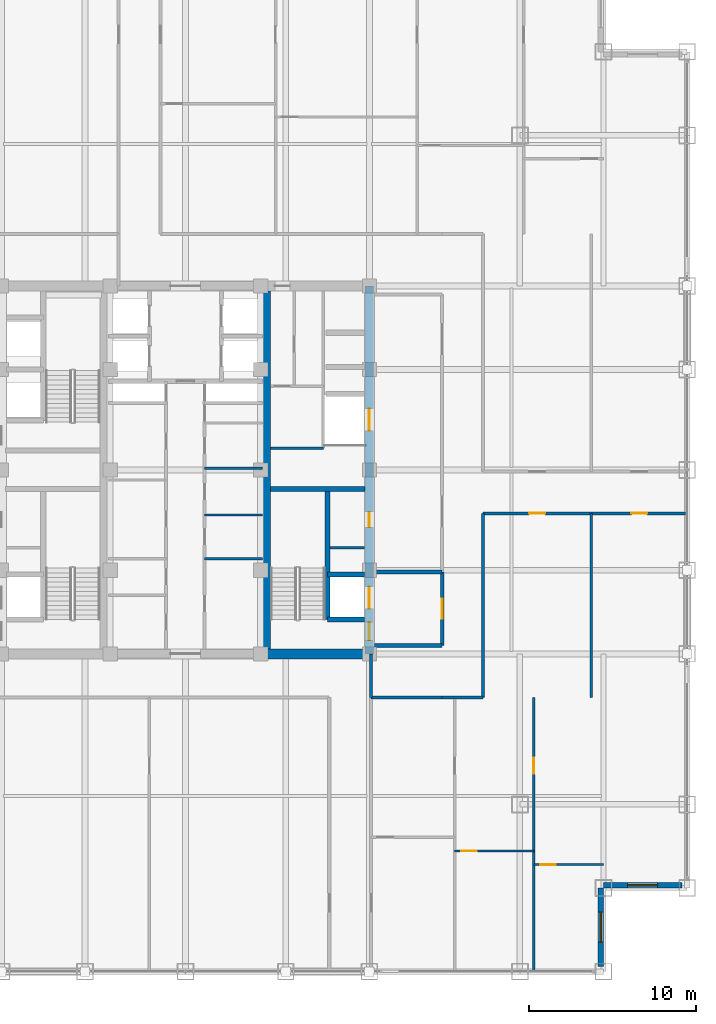
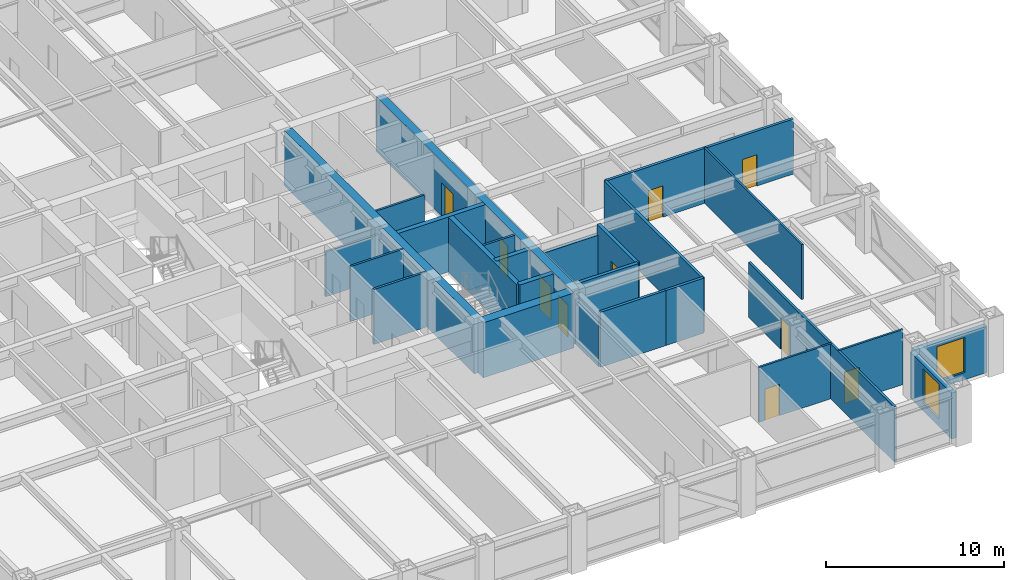
# One storey, part 21 of 25: 26 walls, 10 doors, 2 windows, 12 openings.
"""IFC4 building model written with IfcOpenShell, lengths in metres."""

from ifc_helpers import new_model, si_unit, direction, frame, frame_2d, origin, place, context, subcontext, project, spatial, rectangle, extrude, source, transform, mapped, material, layer, layer_set, type_object, element, fill, save


model = new_model("IFC4")

# Units and contexts
model_context = context("Model", 3, precision=1e-05, world=origin(), true_north=direction((0.0, 1.0)))
body_context = subcontext(model_context, "Body", "Model", "MODEL_VIEW")
ifc_project = project(units=[si_unit("LENGTHUNIT", "METRE"), si_unit("AREAUNIT", "SQUARE_METRE"), si_unit("VOLUMEUNIT", "CUBIC_METRE"), si_unit("PLANEANGLEUNIT", "RADIAN"), si_unit("MASSUNIT", "GRAM", prefix="KILO")], contexts=[model_context])

# Site, building, storey
site_placement = place(None, origin())
site = spatial("IfcSite", under=ifc_project, at=site_placement, CompositionType="ELEMENT")
building_placement = place(site_placement, origin())
building = spatial("IfcBuilding", under=site, at=building_placement, Name="Khorayat Bourse Tower", CompositionType="ELEMENT")
storey_placement = place(building_placement, frame((0.0, 0.0, 255.10009765625)))
storey = spatial("IfcBuildingStorey", under=building, at=storey_placement, Name="L60", CompositionType="ELEMENT", Elevation=255.10009765625)

# Wall
ifc_material_1 = material(Name="Concrete C52/65", Category="concrete")
ifc_layer_1 = layer(ifc_material_1, 0.5)
ifc_layer_set_1 = layer_set([ifc_layer_1], Name="Concrete C52/65")
wall_type_1 = type_object("IfcWallType", Name="WAL-CORE-500", PredefinedType="SHEAR", material=ifc_layer_set_1)
shared_shape_1 = source(origin(), body_context, "Body", "SweptSolid", [
    extrude(rectangle(XDim=21.39990234375, YDim=0.5, at=frame_2d((10.699951171875, 0.0))), origin(), (0.0, 0.0, 1.0), 3.77978515625),
])
wall_1_placement = place(storey_placement, frame((4.85009765625, -10.699951171875, 0.0), z_axis=(0.0, 0.0, 1.0), x_axis=(0.0, 1.0, 0.0)))
element("IfcWall", 1, at=wall_1_placement, inside=storey, type_object=wall_type_1, Name="L60 Core Shear Wall PIER-E", PredefinedType="SHEAR", context=body_context, shape_type="MappedRepresentation", body=[
    mapped(shared_shape_1, transform((0.0, 0.0, 0.0), scale=1.0)),
])

# Wall, openings, doors
shared_shape_2 = source(origin(), body_context, "Body", "SweptSolid", [
    extrude(rectangle(XDim=22.0, YDim=0.5, at=frame_2d((11.0, 0.0))), origin(), (0.0, 0.0, 1.0), 3.77978515625),
])
wall_2_placement = place(storey_placement, frame((11.0, -11.0, 0.0), z_axis=(0.0, 0.0, 1.0), x_axis=(0.0, 1.0, 0.0)))
wall_2 = element("IfcWall", 2, at=wall_2_placement, inside=storey, type_object=wall_type_1, Name="L60 Core Shear Wall CORE-E", PredefinedType="SHEAR", context=body_context, shape_type="MappedRepresentation", body=[
    mapped(shared_shape_2, transform((0.0, 0.0, 0.0), scale=1.0)),
])
shared_shape_3 = source(origin(), body_context, "Body", "SweptSolid", [
    extrude(rectangle(XDim=1.10009765625, YDim=2.199951171875, at=frame_2d((0.550048828125, 1.10009765625))), frame((0.0, 0.260009765625, 0.0), z_axis=(0.0, -1.0, 0.0), x_axis=(1.0, 0.0, 0.0)), (0.0, 0.0, 1.0), 0.52001953125),
])
opening_1_placement = place(wall_2_placement, frame((0.800048828125, 0.0, 0.0)))
opening_1 = element("IfcOpeningElement", 3, at=opening_1_placement, cuts=wall_2, Name="Opening DI-01", PredefinedType="OPENING", context=body_context, shape_type="MappedRepresentation", body=[
    mapped(shared_shape_3, transform((0.0, 0.0, 0.0), scale=1.0)),
])
shared_shape_4 = source(origin(), body_context, "Body", "SweptSolid", [
    extrude(rectangle(XDim=0.89990234375, YDim=2.14990234375, at=frame_2d((0.449951171875, 1.074951171875))), frame((0.0, 0.260009765625, 0.0), z_axis=(0.0, -1.0, 0.0), x_axis=(1.0, 0.0, 0.0)), (0.0, 0.0, 1.0), 0.52001953125),
])
opening_2_placement = place(wall_2_placement, frame((7.574951171875, 0.0, 0.0)))
opening_2 = element("IfcOpeningElement", 4, at=opening_2_placement, cuts=wall_2, Name="Opening DI-06", PredefinedType="OPENING", context=body_context, shape_type="MappedRepresentation", body=[
    mapped(shared_shape_4, transform((0.0, 0.0, 0.0), scale=1.0)),
])
shared_shape_5 = source(origin(), body_context, "Body", "SweptSolid", [
    extrude(rectangle(XDim=1.300048828125, YDim=2.300048828125, at=frame_2d((0.64990234375, 1.14990234375))), frame((0.0, 0.260009765625, 0.0), z_axis=(0.0, -1.0, 0.0), x_axis=(1.0, 0.0, 0.0)), (0.0, 0.0, 1.0), 0.52001953125),
])
opening_3_placement = place(wall_2_placement, frame((2.699951171875, 0.0, 0.0)))
opening_3 = element("IfcOpeningElement", 5, at=opening_3_placement, cuts=wall_2, Name="Opening LD-02", PredefinedType="OPENING", context=body_context, shape_type="MappedRepresentation", body=[
    mapped(shared_shape_5, transform((0.0, 0.0, 0.0), scale=1.0)),
])
opening_4_placement = place(wall_2_placement, frame((13.35009765625, 0.0, 0.0)))
opening_4 = element("IfcOpeningElement", 6, at=opening_4_placement, cuts=wall_2, Name="Opening LD-02", PredefinedType="OPENING", context=body_context, shape_type="MappedRepresentation", body=[
    mapped(shared_shape_5, transform((0.0, 0.0, 0.0), scale=1.0)),
])
ifc_material_2 = material(Name="Fire-rated steel acoustic leaf", Category="steel")
door_type_1 = type_object("IfcDoorType", Name="DR-INT-STAIR-1100", OperationType="NOTDEFINED", PredefinedType="DOOR", material=ifc_material_2)
shared_shape_6 = source(origin(), body_context, "Body", "SweptSolid", [
    extrude(rectangle(XDim=1.10009765625, YDim=2.199951171875, at=frame_2d((0.550048828125, 1.10009765625))), frame((0.0, 0.02490234375, 0.0), z_axis=(0.0, -1.0, 0.0), x_axis=(1.0, 0.0, 0.0)), (0.0, 0.0, 1.0), 0.050048828125),
])
door_1_placement = place(opening_1_placement, origin())
door_1 = element("IfcDoor", 7, at=door_1_placement, inside=storey, type_object=door_type_1, Name="L60 Exit Stair 3 Door", OperationType="SINGLE_SWING_LEFT", OverallHeight=2.199951171875, OverallWidth=1.10009765625, PredefinedType="DOOR", context=body_context, shape_type="MappedRepresentation", body=[
    mapped(shared_shape_6, transform((0.0, 0.0, 0.0), scale=1.0)),
])
fill(opening_1, door_1)
ifc_material_3 = material(Name="Moisture-resistant laminate washroom door")
door_type_2 = type_object("IfcDoorType", Name="DR-INT-WC-900", OperationType="NOTDEFINED", PredefinedType="DOOR", material=ifc_material_3)
shared_shape_7 = source(origin(), body_context, "Body", "SweptSolid", [
    extrude(rectangle(XDim=0.89990234375, YDim=2.14990234375, at=frame_2d((0.449951171875, 1.074951171875))), frame((0.0, 0.02490234375, 0.0), z_axis=(0.0, -1.0, 0.0), x_axis=(1.0, 0.0, 0.0)), (0.0, 0.0, 1.0), 0.050048828125),
])
door_2_placement = place(opening_2_placement, origin())
door_2 = element("IfcDoor", 8, at=door_2_placement, inside=storey, type_object=door_type_2, Name="L60 Fiber Server Plant Room Door", OperationType="SINGLE_SWING_LEFT", OverallHeight=2.14990234375, OverallWidth=0.89990234375, PredefinedType="DOOR", context=body_context, shape_type="MappedRepresentation", body=[
    mapped(shared_shape_7, transform((0.0, 0.0, 0.0), scale=1.0)),
])
fill(opening_2, door_2)
ifc_material_4 = material(Name="Fire-rated stainless-steel sliding landing door", Category="steel")
door_type_3 = type_object("IfcDoorType", Name="DR-LIFT-FF-1300", OperationType="NOTDEFINED", PredefinedType="DOOR", material=ifc_material_4)
shared_shape_8 = source(origin(), body_context, "Body", "SweptSolid", [
    extrude(rectangle(XDim=1.300048828125, YDim=2.300048828125, at=frame_2d((0.64990234375, 1.14990234375))), frame((0.0, 0.02490234375, 0.0), z_axis=(0.0, -1.0, 0.0), x_axis=(1.0, 0.0, 0.0)), (0.0, 0.0, 1.0), 0.050048828125),
])
door_3_placement = place(opening_3_placement, origin())
door_3 = element("IfcDoor", 9, at=door_3_placement, inside=storey, type_object=door_type_3, Name="L60 Lift FFL-02 Sliding Landing Door", OperationType="SLIDING_TO_LEFT", OverallHeight=2.300048828125, OverallWidth=1.300048828125, PredefinedType="DOOR", context=body_context, shape_type="MappedRepresentation", body=[
    mapped(shared_shape_8, transform((0.0, 0.0, 0.0), scale=1.0)),
])
fill(opening_3, door_3)
door_4_placement = place(opening_4_placement, origin())
door_4 = element("IfcDoor", 10, at=door_4_placement, inside=storey, type_object=door_type_3, Name="L60 Lift SVL-01 Sliding Landing Door", OperationType="SLIDING_TO_LEFT", OverallHeight=2.300048828125, OverallWidth=1.300048828125, PredefinedType="DOOR", context=body_context, shape_type="MappedRepresentation", body=[
    mapped(shared_shape_8, transform((0.0, 0.0, 0.0), scale=1.0)),
])
fill(opening_4, door_4)

# Walls
ifc_material_5 = material(Name="Concrete C60/75", Category="concrete")
ifc_layer_2 = layer(ifc_material_5, 0.60009765625)
ifc_layer_set_2 = layer_set([ifc_layer_2], Name="Concrete C60/75")
wall_type_2 = type_object("IfcWallType", Name="WAL-CORE-600", PredefinedType="SHEAR", material=ifc_layer_set_2)
shared_shape_9 = source(origin(), body_context, "Body", "SweptSolid", [
    extrude(rectangle(XDim=5.89990234375, YDim=0.60009765625, at=frame_2d((2.949951171875, 0.0))), origin(), (0.0, 0.0, 1.0), 3.77978515625),
])
wall_3_placement = place(storey_placement, frame((4.85009765625, -11.0, 0.0), z_axis=(0.0, 0.0, 1.0), x_axis=(1.0, 0.0, 0.0)))
element("IfcWall", 11, at=wall_3_placement, inside=storey, type_object=wall_type_2, Name="L60 Core Shear Wall PIER-ES", PredefinedType="SHEAR", context=body_context, shape_type="MappedRepresentation", body=[
    mapped(shared_shape_9, transform((0.0, 0.0, 0.0), scale=1.0)),
])
ifc_material_6 = material(Name="Concrete C50/60", Category="concrete")
ifc_layer_3 = layer(ifc_material_6, 0.300048828125)
ifc_layer_set_3 = layer_set([ifc_layer_3], Name="Concrete C50/60")
wall_type_3 = type_object("IfcWallType", Name="WAL-SHAFT-300", PredefinedType="SHEAR", material=ifc_layer_set_3)
shared_shape_10 = source(origin(), body_context, "Body", "SweptSolid", [
    extrude(rectangle(XDim=5.64990234375, YDim=0.300048828125, at=frame_2d((2.824951171875, 0.0))), origin(), (0.0, 0.0, 1.0), 3.77978515625),
])
wall_4_placement = place(storey_placement, frame((5.10009765625, -1.14990234375, 0.0), z_axis=(0.0, 0.0, 1.0), x_axis=(1.0, 0.0, 0.0)))
element("IfcWall", 12, at=wall_4_placement, inside=storey, type_object=wall_type_3, Name="L60 Core Shear Wall ST3-DIV", PredefinedType="SHEAR", context=body_context, shape_type="MappedRepresentation", body=[
    mapped(shared_shape_10, transform((0.0, 0.0, 0.0), scale=1.0)),
])

# Wall, opening, window
ifc_material_7 = material(Name="Precast concrete C45/55", Category="concrete")
ifc_layer_4 = layer(ifc_material_7, 0.320068359375)
ifc_layer_set_4 = layer_set([ifc_layer_4], Name="Precast concrete C45/55")
wall_type_4 = type_object("IfcWallType", Name="WAL-EXT-STONE-320", PredefinedType="STANDARD", material=ifc_layer_set_4)
shared_shape_11 = source(origin(), body_context, "Body", "SweptSolid", [
    extrude(rectangle(XDim=4.679931640625, YDim=0.320068359375, at=frame_2d((2.33984375, 0.0))), origin(), (0.0, 0.0, 1.0), 3.163818359375),
])
wall_5_placement = place(storey_placement, frame((24.840087890625, -29.679931640625, 0.0), z_axis=(0.0, 0.0, 1.0), x_axis=(0.0, 1.0, 0.0)))
wall_5 = element("IfcWall", 13, at=wall_5_placement, inside=storey, type_object=wall_type_4, Name="L60 Re-Entrant Notch Limestone Wall SE-V", PredefinedType="STANDARD", context=body_context, shape_type="MappedRepresentation", body=[
    mapped(shared_shape_11, transform((0.0, 0.0, 0.0), scale=1.0)),
])
shared_shape_12 = source(origin(), body_context, "Body", "SweptSolid", [
    extrude(rectangle(XDim=1.800048828125, YDim=2.39990234375, at=frame_2d((0.89990234375, 1.199951171875))), frame((0.0, 0.169921875, 0.0), z_axis=(0.0, -1.0, 0.0), x_axis=(1.0, 0.0, 0.0)), (0.0, 0.0, 1.0), 0.340087890625),
])
opening_5_placement = place(wall_5_placement, frame((1.43994140625, 0.0, 0.5)))
opening_5 = element("IfcOpeningElement", 14, at=opening_5_placement, cuts=wall_5, Name="Opening WN-04", PredefinedType="OPENING", context=body_context, shape_type="MappedRepresentation", body=[
    mapped(shared_shape_12, transform((0.0, 0.0, 0.0), scale=1.0)),
])
ifc_material_8 = material(Name="Low-E acoustic laminated double glazing", Category="glass")
window_type = type_object("IfcWindowType", Name="WIN-NOTCH-1800x2400", PartitioningType="SINGLE_PANEL", PredefinedType="WINDOW", material=ifc_material_8)
shared_shape_13 = source(origin(), body_context, "Body", "SweptSolid", [
    extrude(rectangle(XDim=1.800048828125, YDim=2.39990234375, at=frame_2d((0.89990234375, 1.199951171875))), frame((0.0, 0.030029296875, 0.0), z_axis=(0.0, -1.0, 0.0), x_axis=(1.0, 0.0, 0.0)), (0.0, 0.0, 1.0), 0.06005859375),
])
window_1_placement = place(opening_5_placement, origin())
window_1 = element("IfcWindow", 15, at=window_1_placement, inside=storey, type_object=window_type, Name="L60 Facade Window 1", OverallHeight=2.39990234375, OverallWidth=1.800048828125, PartitioningType="SINGLE_PANEL", PredefinedType="WINDOW", context=body_context, shape_type="MappedRepresentation", body=[
    mapped(shared_shape_13, transform((0.0, 0.0, 0.0), scale=1.0)),
])
fill(opening_5, window_1)

wall_6_placement = place(storey_placement, frame((25.0, -24.840087890625, 0.0), z_axis=(0.0, 0.0, 1.0), x_axis=(1.0, 0.0, 0.0)))
wall_6 = element("IfcWall", 16, at=wall_6_placement, inside=storey, type_object=wall_type_4, Name="L60 Re-Entrant Notch Limestone Wall SE-H", PredefinedType="STANDARD", context=body_context, shape_type="MappedRepresentation", body=[
    mapped(shared_shape_11, transform((0.0, 0.0, 0.0), scale=1.0)),
])
opening_6_placement = place(wall_6_placement, frame((1.43994140625, 0.0, 0.5)))
opening_6 = element("IfcOpeningElement", 17, at=opening_6_placement, cuts=wall_6, Name="Opening WN-04", PredefinedType="OPENING", context=body_context, shape_type="MappedRepresentation", body=[
    mapped(shared_shape_12, transform((0.0, 0.0, 0.0), scale=1.0)),
])
window_2_placement = place(opening_6_placement, origin())
window_2 = element("IfcWindow", 18, at=window_2_placement, inside=storey, type_object=window_type, Name="L60 Facade Window 1", OverallHeight=2.39990234375, OverallWidth=1.800048828125, PartitioningType="SINGLE_PANEL", PredefinedType="WINDOW", context=body_context, shape_type="MappedRepresentation", body=[
    mapped(shared_shape_13, transform((0.0, 0.0, 0.0), scale=1.0)),
])
fill(opening_6, window_2)

# Walls
ifc_material_9 = material(Name="Aerated concrete blockwork", Category="masonry")
ifc_layer_5 = layer(ifc_material_9, 0.219970703125)
ifc_layer_set_5 = layer_set([ifc_layer_5], Name="Aerated concrete blockwork")
wall_type_5 = type_object("IfcWallType", Name="WAL-PART-FF-220", PredefinedType="PARTITIONING", material=ifc_layer_set_5)
shared_shape_14 = source(origin(), body_context, "Body", "SweptSolid", [
    extrude(rectangle(XDim=4.050048828125, YDim=0.219970703125, at=frame_2d((2.02490234375, 0.0))), origin(), (0.0, 0.0, 1.0), 3.0849609375),
])
wall_7_placement = place(storey_placement, frame((11.300048828125, -6.10009765625, 0.0), z_axis=(0.0, 0.0, 1.0), x_axis=(1.0, 0.0, 0.0)))
element("IfcWall", 19, at=wall_7_placement, inside=storey, type_object=wall_type_5, Name="L60 Partition WAL-L60-FFLE-N", PredefinedType="PARTITIONING", context=body_context, shape_type="MappedRepresentation", body=[
    mapped(shared_shape_14, transform((0.0, 0.0, 0.0), scale=1.0)),
])
shared_shape_15 = source(origin(), body_context, "Body", "SweptSolid", [
    extrude(rectangle(XDim=7.800048828125, YDim=0.300048828125, at=frame_2d((3.89990234375, 0.0))), origin(), (0.0, 0.0, 1.0), 3.77978515625),
])
wall_8_placement = place(storey_placement, frame((8.5, -8.949951171875, 0.0), z_axis=(0.0, 0.0, 1.0), x_axis=(0.0, 1.0, 0.0)))
element("IfcWall", 20, at=wall_8_placement, inside=storey, type_object=wall_type_3, Name="L60 Partition WAL-L60-EPIER-SP", PredefinedType="SHEAR", context=body_context, shape_type="MappedRepresentation", body=[
    mapped(shared_shape_15, transform((0.0, 0.0, 0.0), scale=1.0)),
])
shared_shape_16 = source(origin(), body_context, "Body", "SweptSolid", [
    extrude(rectangle(XDim=2.199951171875, YDim=0.300048828125, at=frame_2d((1.10009765625, 0.0))), origin(), (0.0, 0.0, 1.0), 3.77978515625),
])
for number, where, z_axis, x_axis, name in (
    (21, (8.5, -8.949951171875, 0.0), (0.0, 0.0, 1.0), (1.0, 0.0, 0.0), "L60 Partition WAL-L60-EPIER-FF2S"),
    (22, (8.5, -6.25, 0.0), (0.0, 0.0, 1.0), (1.0, 0.0, 0.0), "L60 Partition WAL-L60-EPIER-FF2N"),
):
    element("IfcWall", number, at=place(storey_placement, frame(where, z_axis=z_axis, x_axis=x_axis)), inside=storey, type_object=wall_type_3, Name=name, PredefinedType="SHEAR", context=body_context, shape_type="MappedRepresentation", body=[
        mapped(shared_shape_16, transform((0.0, 0.0, 0.0), scale=1.0)),
    ])
ifc_material_10 = material(Name="Gypsum plasterboard twin-frame partition")
ifc_layer_6 = layer(ifc_material_10, 0.14990234375)
ifc_layer_set_6 = layer_set([ifc_layer_6], Name="Gypsum plasterboard twin-frame partition")
wall_type_6 = type_object("IfcWallType", Name="WAL-PART-SUITE-150", PredefinedType="PARTITIONING", material=ifc_layer_set_6)
shared_shape_17 = source(origin(), body_context, "Body", "SweptSolid", [
    extrude(rectangle(XDim=2.050048828125, YDim=0.14990234375, at=frame_2d((1.02490234375, 0.0))), origin(), (0.0, 0.0, 1.0), 3.77978515625),
])
wall_9_placement = place(storey_placement, frame((8.64990234375, -4.64990234375, 0.0), z_axis=(0.0, 0.0, 1.0), x_axis=(1.0, 0.0, 0.0)))
element("IfcWall", 23, at=wall_9_placement, inside=storey, type_object=wall_type_6, Name="L60 Partition WAL-L60-ESRV-S0", PredefinedType="PARTITIONING", context=body_context, shape_type="MappedRepresentation", body=[
    mapped(shared_shape_17, transform((0.0, 0.0, 0.0), scale=1.0)),
])
ifc_material_11 = material(Name="Moisture-resistant masonry partition", Category="masonry")
ifc_layer_7 = layer(ifc_material_11, 0.139892578125)
ifc_layer_set_7 = layer_set([ifc_layer_7], Name="Moisture-resistant masonry partition")
wall_type_7 = type_object("IfcWallType", Name="WAL-PART-WET-140", PredefinedType="PARTITIONING", material=ifc_layer_set_7)
shared_shape_18 = source(origin(), body_context, "Body", "SweptSolid", [
    extrude(rectangle(XDim=3.14990234375, YDim=0.139892578125, at=frame_2d((1.574951171875, 0.0))), origin(), (0.0, 0.0, 1.0), 3.77978515625),
])
wall_10_placement = place(storey_placement, frame((5.10009765625, 1.300048828125, 0.0), z_axis=(0.0, 0.0, 1.0), x_axis=(1.0, 0.0, 0.0)))
element("IfcWall", 24, at=wall_10_placement, inside=storey, type_object=wall_type_7, Name="L60 Partition WAL-L60-ECORE-S", PredefinedType="PARTITIONING", context=body_context, shape_type="MappedRepresentation", body=[
    mapped(shared_shape_18, transform((0.0, 0.0, 0.0), scale=1.0)),
])
shared_shape_19 = source(origin(), body_context, "Body", "SweptSolid", [
    extrude(rectangle(XDim=4.050048828125, YDim=0.219970703125, at=frame_2d((2.02490234375, 0.0))), origin(), (0.0, 0.0, 1.0), 3.77978515625),
])
wall_11_placement = place(storey_placement, frame((11.300048828125, -10.5, 0.0), z_axis=(0.0, 0.0, 1.0), x_axis=(1.0, 0.0, 0.0)))
element("IfcWall", 25, at=wall_11_placement, inside=storey, type_object=wall_type_5, Name="L60 Partition WAL-L60-FFLE-S", PredefinedType="PARTITIONING", context=body_context, shape_type="MappedRepresentation", body=[
    mapped(shared_shape_19, transform((0.0, 0.0, 0.0), scale=1.0)),
])

# Wall, opening, door
shared_shape_20 = source(origin(), body_context, "Body", "SweptSolid", [
    extrude(rectangle(XDim=4.39990234375, YDim=0.219970703125, at=frame_2d((2.199951171875, 0.0))), origin(), (0.0, 0.0, 1.0), 3.77978515625),
])
wall_12_placement = place(storey_placement, frame((15.35009765625, -10.5, 0.0), z_axis=(0.0, 0.0, 1.0), x_axis=(0.0, 1.0, 0.0)))
wall_12 = element("IfcWall", 26, at=wall_12_placement, inside=storey, type_object=wall_type_5, Name="L60 Partition WAL-L60-FFLE-E", PredefinedType="PARTITIONING", context=body_context, shape_type="MappedRepresentation", body=[
    mapped(shared_shape_20, transform((0.0, 0.0, 0.0), scale=1.0)),
])
shared_shape_21 = source(origin(), body_context, "Body", "SweptSolid", [
    extrude(rectangle(XDim=1.199951171875, YDim=2.199951171875, at=frame_2d((0.60009765625, 1.10009765625))), frame((0.0, 0.119873046875, 0.0), z_axis=(0.0, -1.0, 0.0), x_axis=(1.0, 0.0, 0.0)), (0.0, 0.0, 1.0), 0.239990234375),
])
opening_7_placement = place(wall_12_placement, frame((1.60009765625, 0.0, 0.0)))
opening_7 = element("IfcOpeningElement", 27, at=opening_7_placement, cuts=wall_12, Name="Opening DI-02", PredefinedType="OPENING", context=body_context, shape_type="MappedRepresentation", body=[
    mapped(shared_shape_21, transform((0.0, 0.0, 0.0), scale=1.0)),
])
ifc_material_12 = material(Name="Fire-rated steel double-seal leaf", Category="steel")
door_type_4 = type_object("IfcDoorType", Name="DR-INT-FFLOBBY-1200", OperationType="NOTDEFINED", PredefinedType="DOOR", material=ifc_material_12)
shared_shape_22 = source(origin(), body_context, "Body", "SweptSolid", [
    extrude(rectangle(XDim=1.199951171875, YDim=2.199951171875, at=frame_2d((0.60009765625, 1.10009765625))), frame((0.0, 0.02490234375, 0.0), z_axis=(0.0, -1.0, 0.0), x_axis=(1.0, 0.0, 0.0)), (0.0, 0.0, 1.0), 0.050048828125),
])
door_5_placement = place(opening_7_placement, origin())
door_5 = element("IfcDoor", 28, at=door_5_placement, inside=storey, type_object=door_type_4, Name="L60 East Firefighting Lobby Door", OperationType="SINGLE_SWING_RIGHT", OverallHeight=2.199951171875, OverallWidth=1.199951171875, PredefinedType="DOOR", context=body_context, shape_type="MappedRepresentation", body=[
    mapped(shared_shape_22, transform((0.0, 0.0, 0.0), scale=1.0)),
])
fill(opening_7, door_5)

# Walls
shared_shape_23 = source(origin(), body_context, "Body", "SweptSolid", [
    extrude(rectangle(XDim=3.4501953125, YDim=0.14990234375, at=frame_2d((1.72509765625, 0.0))), origin(), (0.0, 0.0, 1.0), 3.77978515625),
])
wall_13_placement = place(storey_placement, frame((1.14990234375, -5.300048828125, 0.0), z_axis=(0.0, 0.0, 1.0), x_axis=(1.0, 0.0, 0.0)))
element("IfcWall", 29, at=wall_13_placement, inside=storey, type_object=wall_type_6, Name="L60 Partition WAL-L60-FB1-NE", PredefinedType="PARTITIONING", context=body_context, shape_type="MappedRepresentation", body=[
    mapped(shared_shape_23, transform((0.0, 0.0, 0.0), scale=1.0)),
])
shared_shape_24 = source(origin(), body_context, "Body", "SweptSolid", [
    extrude(rectangle(XDim=3.4501953125, YDim=0.139892578125, at=frame_2d((1.72509765625, 0.0))), origin(), (0.0, 0.0, 1.0), 3.77978515625),
])
wall_14_placement = place(storey_placement, frame((1.14990234375, -2.699951171875, 0.0), z_axis=(0.0, 0.0, 1.0), x_axis=(1.0, 0.0, 0.0)))
element("IfcWall", 30, at=wall_14_placement, inside=storey, type_object=wall_type_7, Name="L60 Partition WAL-L60-CME-D1", PredefinedType="PARTITIONING", context=body_context, shape_type="MappedRepresentation", body=[
    mapped(shared_shape_24, transform((0.0, 0.0, 0.0), scale=1.0)),
])
shared_shape_25 = source(origin(), body_context, "Body", "SweptSolid", [
    extrude(rectangle(XDim=3.4501953125, YDim=0.139892578125, at=frame_2d((1.72509765625, 0.0))), origin(), (0.0, 0.0, 1.0), 3.0849609375),
])
wall_15_placement = place(storey_placement, frame((1.14990234375, 0.10009765625, 0.0), z_axis=(0.0, 0.0, 1.0), x_axis=(1.0, 0.0, 0.0)))
element("IfcWall", 31, at=wall_15_placement, inside=storey, type_object=wall_type_7, Name="L60 Partition WAL-L60-CME-D2", PredefinedType="PARTITIONING", context=body_context, shape_type="MappedRepresentation", body=[
    mapped(shared_shape_25, transform((0.0, 0.0, 0.0), scale=1.0)),
])
ifc_material_13 = material(Name="Gypsum plasterboard acoustic stud wall")
ifc_layer_8 = layer(ifc_material_13, 0.179931640625)
ifc_layer_set_8 = layer_set([ifc_layer_8], Name="Gypsum plasterboard acoustic stud wall")
wall_type_8 = type_object("IfcWallType", Name="WAL-PART-CORR-180", PredefinedType="PARTITIONING", material=ifc_layer_set_8)
shared_shape_26 = source(origin(), body_context, "Body", "SweptSolid", [
    extrude(rectangle(XDim=2.449951171875, YDim=0.179931640625, at=frame_2d((1.22509765625, 0.0))), origin(), (0.0, 0.0, 1.0), 3.77978515625),
])
wall_16_placement = place(storey_placement, frame((15.35009765625, -13.60009765625, 0.0), z_axis=(0.0, 0.0, 1.0), x_axis=(1.0, 0.0, 0.0)))
element("IfcWall", 32, at=wall_16_placement, inside=storey, type_object=wall_type_8, Name="L60 Partition WAL-L60-C2-ES", PredefinedType="PARTITIONING", context=body_context, shape_type="MappedRepresentation", body=[
    mapped(shared_shape_26, transform((0.0, 0.0, 0.0), scale=1.0)),
])
ifc_material_14 = material(Name="Gypsum plasterboard partition")
ifc_layer_9 = layer(ifc_material_14, 0.125)
ifc_layer_set_9 = layer_set([ifc_layer_9], Name="Gypsum plasterboard partition")
wall_type_9 = type_object("IfcWallType", Name="WAL-PART-ROOM-125", PredefinedType="PARTITIONING", material=ifc_layer_set_9)
shared_shape_27 = source(origin(), body_context, "Body", "SweptSolid", [
    extrude(rectangle(XDim=11.0, YDim=0.125, at=frame_2d((5.5, 0.0))), origin(), (0.0, 0.0, 1.0), 3.77978515625),
])
wall_17_placement = place(storey_placement, frame((24.26611328125, -13.60009765625, 0.0), z_axis=(0.0, 0.0, 1.0), x_axis=(0.0, 1.0, 0.0)))
element("IfcWall", 33, at=wall_17_placement, inside=storey, type_object=wall_type_9, Name="L60 Partition WAL-L60-ES-DV", PredefinedType="PARTITIONING", context=body_context, shape_type="MappedRepresentation", body=[
    mapped(shared_shape_27, transform((0.0, 0.0, 0.0), scale=1.0)),
])

# Wall, openings, doors
shared_shape_28 = source(origin(), body_context, "Body", "SweptSolid", [
    extrude(rectangle(XDim=12.199951171875, YDim=0.179931640625, at=frame_2d((6.10009765625, 0.0))), origin(), (0.0, 0.0, 1.0), 3.77978515625),
])
wall_18_placement = place(storey_placement, frame((17.800048828125, -2.60009765625, 0.0), z_axis=(0.0, 0.0, 1.0), x_axis=(1.0, 0.0, 0.0)))
wall_18 = element("IfcWall", 34, at=wall_18_placement, inside=storey, type_object=wall_type_8, Name="L60 Partition WAL-L60-ES-SPK", PredefinedType="PARTITIONING", context=body_context, shape_type="MappedRepresentation", body=[
    mapped(shared_shape_28, transform((0.0, 0.0, 0.0), scale=1.0)),
])
shared_shape_29 = source(origin(), body_context, "Body", "SweptSolid", [
    extrude(rectangle(XDim=0.949951171875, YDim=2.14990234375, at=frame_2d((0.47509765625, 1.074951171875))), frame((0.0, 0.099853515625, 0.0), z_axis=(0.0, -1.0, 0.0), x_axis=(1.0, 0.0, 0.0)), (0.0, 0.0, 1.0), 0.199951171875),
])
opening_8_placement = place(wall_18_placement, frame((2.758056640625, 0.0, 0.0)))
opening_8 = element("IfcOpeningElement", 35, at=opening_8_placement, cuts=wall_18, Name="Opening DI-05", PredefinedType="OPENING", context=body_context, shape_type="MappedRepresentation", body=[
    mapped(shared_shape_29, transform((0.0, 0.0, 0.0), scale=1.0)),
])
opening_9_placement = place(wall_18_placement, frame((8.85791015625, 0.0, 0.0)))
opening_9 = element("IfcOpeningElement", 36, at=opening_9_placement, cuts=wall_18, Name="Opening DI-05", PredefinedType="OPENING", context=body_context, shape_type="MappedRepresentation", body=[
    mapped(shared_shape_29, transform((0.0, 0.0, 0.0), scale=1.0)),
])
ifc_material_15 = material(Name="Acoustic oak veneer office door")
door_type_5 = type_object("IfcDoorType", Name="DR-INT-OFFICE-950", OperationType="NOTDEFINED", PredefinedType="DOOR", material=ifc_material_15)
shared_shape_30 = source(origin(), body_context, "Body", "SweptSolid", [
    extrude(rectangle(XDim=0.949951171875, YDim=2.14990234375, at=frame_2d((0.47509765625, 1.074951171875))), frame((0.0, 0.02490234375, 0.0), z_axis=(0.0, -1.0, 0.0), x_axis=(1.0, 0.0, 0.0)), (0.0, 0.0, 1.0), 0.050048828125),
])
door_6_placement = place(opening_8_placement, origin())
door_6 = element("IfcDoor", 37, at=door_6_placement, inside=storey, type_object=door_type_5, Name="L60 Occupational First Aid Clinic ESA Door", OperationType="SINGLE_SWING_LEFT", OverallHeight=2.14990234375, OverallWidth=0.949951171875, PredefinedType="DOOR", context=body_context, shape_type="MappedRepresentation", body=[
    mapped(shared_shape_30, transform((0.0, 0.0, 0.0), scale=1.0)),
])
fill(opening_8, door_6)
door_7_placement = place(opening_9_placement, origin())
door_7 = element("IfcDoor", 38, at=door_7_placement, inside=storey, type_object=door_type_5, Name="L60 Clearing Records Archive Store ESB Door", OperationType="SINGLE_SWING_RIGHT", OverallHeight=2.14990234375, OverallWidth=0.949951171875, PredefinedType="DOOR", context=body_context, shape_type="MappedRepresentation", body=[
    mapped(shared_shape_30, transform((0.0, 0.0, 0.0), scale=1.0)),
])
fill(opening_9, door_7)

# Wall, opening, door
shared_shape_31 = source(origin(), body_context, "Body", "SweptSolid", [
    extrude(rectangle(XDim=16.39990234375, YDim=0.14990234375, at=frame_2d((8.199951171875, 0.0))), origin(), (0.0, 0.0, 1.0), 3.77978515625),
])
wall_19_placement = place(storey_placement, frame((20.830078125, -30.0, 0.0), z_axis=(0.0, 0.0, 1.0), x_axis=(0.0, 1.0, 0.0)))
wall_19 = element("IfcWall", 39, at=wall_19_placement, inside=storey, type_object=wall_type_6, Name="L60 Partition WAL-L60-QSEDV-2", PredefinedType="PARTITIONING", context=body_context, shape_type="MappedRepresentation", body=[
    mapped(shared_shape_31, transform((0.0, 0.0, 0.0), scale=1.0)),
])
shared_shape_32 = source(origin(), body_context, "Body", "SweptSolid", [
    extrude(rectangle(XDim=0.949951171875, YDim=2.14990234375, at=frame_2d((0.47509765625, 1.074951171875))), frame((0.0, 0.0849609375, 0.0), z_axis=(0.0, -1.0, 0.0), x_axis=(1.0, 0.0, 0.0)), (0.0, 0.0, 1.0), 0.169921875),
])
opening_10_placement = place(wall_19_placement, frame((11.824951171875, 0.0, 0.0)))
opening_10 = element("IfcOpeningElement", 40, at=opening_10_placement, cuts=wall_19, Name="Opening DI-05", PredefinedType="OPENING", context=body_context, shape_type="MappedRepresentation", body=[
    mapped(shared_shape_32, transform((0.0, 0.0, 0.0), scale=1.0)),
])
door_8_placement = place(opening_10_placement, origin())
door_8 = element("IfcDoor", 41, at=door_8_placement, inside=storey, type_object=door_type_5, Name="L60 South-East Suite Link 2", OperationType="SINGLE_SWING_LEFT", OverallHeight=2.14990234375, OverallWidth=0.949951171875, PredefinedType="DOOR", context=body_context, shape_type="MappedRepresentation", body=[
    mapped(shared_shape_30, transform((0.0, 0.0, 0.0), scale=1.0)),
])
fill(opening_10, door_8)

# Walls
shared_shape_33 = source(origin(), body_context, "Body", "SweptSolid", [
    extrude(rectangle(XDim=4.25, YDim=0.179931640625, at=frame_2d((2.125, 0.0))), origin(), (0.0, 0.0, 1.0), 3.77978515625),
])
wall_20_placement = place(storey_placement, frame((11.10009765625, -13.60009765625, 0.0), z_axis=(0.0, 0.0, 1.0), x_axis=(1.0, 0.0, 0.0)))
element("IfcWall", 42, at=wall_20_placement, inside=storey, type_object=wall_type_8, Name="L60 Partition WAL-L60-QSE-HC", PredefinedType="PARTITIONING", context=body_context, shape_type="MappedRepresentation", body=[
    mapped(shared_shape_33, transform((0.0, 0.0, 0.0), scale=1.0)),
])
shared_shape_34 = source(origin(), body_context, "Body", "SweptSolid", [
    extrude(rectangle(XDim=2.60009765625, YDim=0.179931640625, at=frame_2d((1.300048828125, 0.0))), origin(), (0.0, 0.0, 1.0), 3.0849609375),
])
wall_21_placement = place(storey_placement, frame((11.10009765625, -13.60009765625, 0.0), z_axis=(0.0, 0.0, 1.0), x_axis=(0.0, 1.0, 0.0)))
element("IfcWall", 43, at=wall_21_placement, inside=storey, type_object=wall_type_8, Name="L60 Partition WAL-L60-C2-SCE", PredefinedType="PARTITIONING", context=body_context, shape_type="MappedRepresentation", body=[
    mapped(shared_shape_34, transform((0.0, 0.0, 0.0), scale=1.0)),
])

# Wall, opening, door
shared_shape_35 = source(origin(), body_context, "Body", "SweptSolid", [
    extrude(rectangle(XDim=4.72607421875, YDim=0.125, at=frame_2d((2.363037109375, 0.0))), origin(), (0.0, 0.0, 1.0), 3.77978515625),
])
wall_22_placement = place(storey_placement, frame((16.10400390625, -22.783935546875, 0.0), z_axis=(0.0, 0.0, 1.0), x_axis=(1.0, 0.0, 0.0)))
wall_22 = element("IfcWall", 44, at=wall_22_placement, inside=storey, type_object=wall_type_9, Name="L60 Partition WAL-L60-QSEDP-2", PredefinedType="PARTITIONING", context=body_context, shape_type="MappedRepresentation", body=[
    mapped(shared_shape_35, transform((0.0, 0.0, 0.0), scale=1.0)),
])
shared_shape_36 = source(origin(), body_context, "Body", "SweptSolid", [
    extrude(rectangle(XDim=0.949951171875, YDim=2.14990234375, at=frame_2d((0.47509765625, 1.074951171875))), frame((0.0, 0.072509765625, 0.0), z_axis=(0.0, -1.0, 0.0), x_axis=(1.0, 0.0, 0.0)), (0.0, 0.0, 1.0), 0.14501953125),
])
opening_11_placement = place(wall_22_placement, frame((0.375, 0.0, 0.0)))
opening_11 = element("IfcOpeningElement", 45, at=opening_11_placement, cuts=wall_22, Name="Opening DI-05", PredefinedType="OPENING", context=body_context, shape_type="MappedRepresentation", body=[
    mapped(shared_shape_36, transform((0.0, 0.0, 0.0), scale=1.0)),
])
door_9_placement = place(opening_11_placement, origin())
door_9 = element("IfcDoor", 46, at=door_9_placement, inside=storey, type_object=door_type_5, Name="L60 South-East Members Club Room 2B Door", OperationType="SINGLE_SWING_LEFT", OverallHeight=2.14990234375, OverallWidth=0.949951171875, PredefinedType="DOOR", context=body_context, shape_type="MappedRepresentation", body=[
    mapped(shared_shape_30, transform((0.0, 0.0, 0.0), scale=1.0)),
])
fill(opening_11, door_9)

shared_shape_37 = source(origin(), body_context, "Body", "SweptSolid", [
    extrude(rectangle(XDim=4.169921875, YDim=0.125, at=frame_2d((2.0849609375, 0.0))), origin(), (0.0, 0.0, 1.0), 3.77978515625),
])
wall_23_placement = place(storey_placement, frame((20.830078125, -23.60400390625, 0.0), z_axis=(0.0, 0.0, 1.0), x_axis=(1.0, 0.0, 0.0)))
wall_23 = element("IfcWall", 47, at=wall_23_placement, inside=storey, type_object=wall_type_9, Name="L60 Partition WAL-L60-QSEDP-3", PredefinedType="PARTITIONING", context=body_context, shape_type="MappedRepresentation", body=[
    mapped(shared_shape_37, transform((0.0, 0.0, 0.0), scale=1.0)),
])
opening_12_placement = place(wall_23_placement, frame((0.375, 0.0, 0.0)))
opening_12 = element("IfcOpeningElement", 48, at=opening_12_placement, cuts=wall_23, Name="Opening DI-05", PredefinedType="OPENING", context=body_context, shape_type="MappedRepresentation", body=[
    mapped(shared_shape_36, transform((0.0, 0.0, 0.0), scale=1.0)),
])
door_10_placement = place(opening_12_placement, origin())
door_10 = element("IfcDoor", 49, at=door_10_placement, inside=storey, type_object=door_type_5, Name="L60 South-East Clearing Records Archive Store 3B Door", OperationType="SINGLE_SWING_RIGHT", OverallHeight=2.14990234375, OverallWidth=0.949951171875, PredefinedType="DOOR", context=body_context, shape_type="MappedRepresentation", body=[
    mapped(shared_shape_30, transform((0.0, 0.0, 0.0), scale=1.0)),
])
fill(opening_12, door_10)

# Wall
shared_shape_38 = source(origin(), body_context, "Body", "SweptSolid", [
    extrude(rectangle(XDim=11.0, YDim=0.179931640625, at=frame_2d((5.5, 0.0))), origin(), (0.0, 0.0, 1.0), 3.77978515625),
])
wall_24_placement = place(storey_placement, frame((17.800048828125, -13.60009765625, 0.0), z_axis=(0.0, 0.0, 1.0), x_axis=(0.0, 1.0, 0.0)))
element("IfcWall", 50, at=wall_24_placement, inside=storey, type_object=wall_type_8, Name="L60 Partition WAL-L60-ES-IN", PredefinedType="PARTITIONING", context=body_context, shape_type="MappedRepresentation", body=[
    mapped(shared_shape_38, transform((0.0, 0.0, 0.0), scale=1.0)),
])

save(model, "model.ifc")
